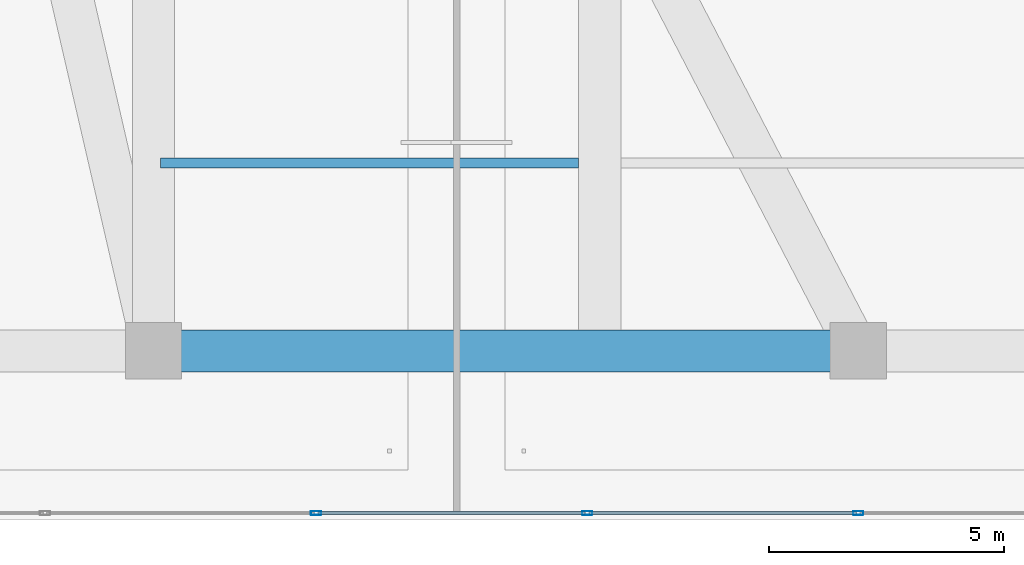
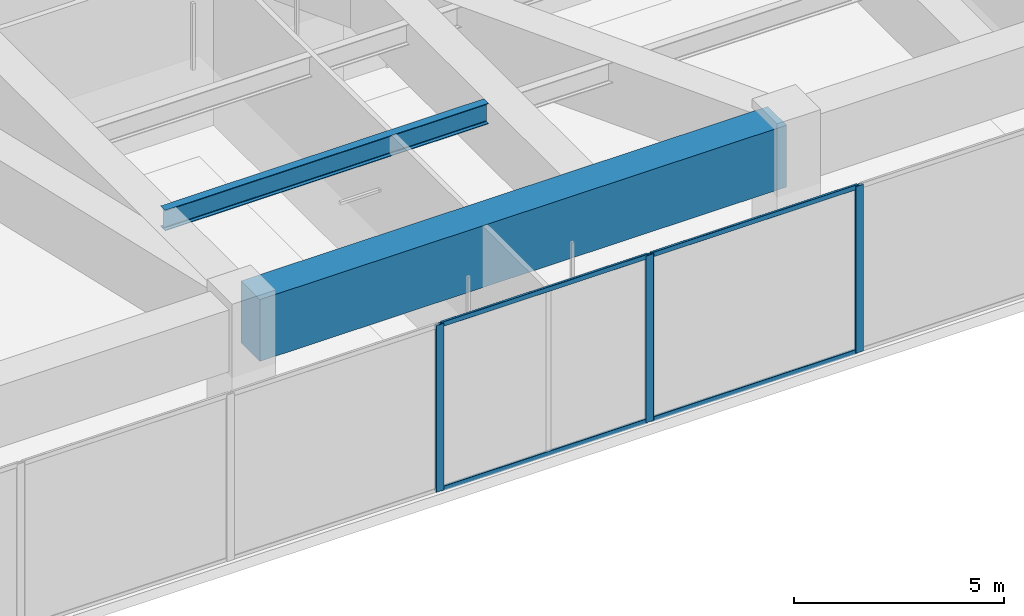
# One storey, part 4 of 21: 7 members, 2 beams, 1 element without a shape of its own.
"""IFC4 building model written with IfcOpenShell, lengths in metres."""

from ifc_helpers import new_model, si_unit, direction, frame, origin, origin_2d, place, context, subcontext, project, spatial, rectangle, hollow_rectangle, i_section, extrude, material, layer, layer_set, material_profile, profile_set, type_object, element, aggregate, save


model = new_model("IFC4")

# Units and contexts
model_context = context("Model", 3, precision=1e-05, world=origin(), true_north=direction((0.0, 1.0)))
body_context = subcontext(model_context, "Body", "Model", "MODEL_VIEW")
ifc_project = project(units=[si_unit("LENGTHUNIT", "METRE"), si_unit("AREAUNIT", "SQUARE_METRE"), si_unit("VOLUMEUNIT", "CUBIC_METRE"), si_unit("PLANEANGLEUNIT", "RADIAN"), si_unit("MASSUNIT", "GRAM", prefix="KILO")], contexts=[model_context])

# Site, building, storey
site_placement = place(None, origin())
site = spatial("IfcSite", under=ifc_project, at=site_placement, CompositionType="ELEMENT")
building_placement = place(site_placement, origin())
building = spatial("IfcBuilding", under=site, at=building_placement, Name="Tarnavaz Court Tower", CompositionType="ELEMENT")
storey_placement = place(building_placement, frame((0.0, 0.0, 18.89990234375)))
storey = spatial("IfcBuildingStorey", under=building, at=storey_placement, Name="L04", CompositionType="ELEMENT", Elevation=18.89990234375)

# Beams
ifc_material_1 = material(Name="Steel S355", Category="steel")
ifc_material_profile_1 = material_profile(ifc_material_1, i_section(OverallWidth=0.219970703125, OverallDepth=0.60009765625, WebThickness=0.011962890625, FlangeThickness=0.01904296875, FilletRadius=0.02392578125, at=origin_2d()), Name="IPE 600")
ifc_profile_set_1 = profile_set([ifc_material_profile_1], Name="Steel S355")
beam_type_1 = type_object("IfcBeamType", Name="BM-J-IPE600", PredefinedType="JOIST", material=ifc_profile_set_1)
beam_1_placement = place(storey_placement, frame((-14.85009765625, -18.800048828125, 4.550048828125), z_axis=(1.0, 0.0, 0.0), x_axis=(0.0, 1.0, 0.0)))
element("IfcBeam", 1, at=beam_1_placement, inside=storey, type_object=beam_type_1, Name="L04 Beam PJS-2-1", PredefinedType="JOIST", context=body_context, shape_type="SweptSolid", body=[
    extrude(i_section(OverallWidth=0.219970703125, OverallDepth=0.60009765625, WebThickness=0.011962890625, FlangeThickness=0.01904296875, FilletRadius=0.02392578125, at=origin_2d()), origin(), (0.0, 0.0, 1.0), 8.900146484375),
])
ifc_material_2 = material(Name="Concrete C50/60", Category="concrete")
ifc_material_profile_2 = material_profile(ifc_material_2, rectangle(XDim=0.89990234375, YDim=1.800048828125, at=origin_2d()), Name="RC 900X1800")
ifc_profile_set_2 = profile_set([ifc_material_profile_2], Name="Concrete C50/60")
beam_type_2 = type_object("IfcBeamType", Name="BM-TG1800", PredefinedType="USERDEFINED", material=ifc_profile_set_2)
beam_2_placement = place(storey_placement, frame((-14.75, -22.800048828125, 3.9501953125), z_axis=(1.0, 0.0, 0.0), x_axis=(0.0, 1.0, 0.0)))
element("IfcBeam", 2, at=beam_2_placement, inside=storey, type_object=beam_type_2, Name="L04 Beam PM-PM-S1-PM-S2", ObjectType="GIRDER", PredefinedType="USERDEFINED", context=body_context, shape_type="SweptSolid", body=[
    extrude(rectangle(XDim=0.89990234375, YDim=1.800048828125, at=origin_2d()), origin(), (0.0, 0.0, 1.0), 14.5),
])

# Curtain wall, members
ifc_material_3 = material(Name="Anodised Aluminium 6063-T6 and Solar Low-E Glazing", Category="aluminium")
ifc_layer = layer(ifc_material_3, 0.18994140625)
ifc_layer_set = layer_set([ifc_layer], Name="Anodised Aluminium 6063-T6 and Solar Low-E Glazing")
curtain_wall_type = type_object("IfcCurtainWallType", Name="CW-SYS-01", PredefinedType="NOTDEFINED", material=ifc_layer_set)
curtain_wall_placement = place(storey_placement, origin())
curtain_wall = element("IfcCurtainWall", 3, at=curtain_wall_placement, inside=storey, type_object=curtain_wall_type, Name="L04 Clinic South Curtain Wall 3", PredefinedType="NOTDEFINED")
ifc_material_4 = material(Name="Anodised Aluminium 6063-T6", Category="aluminium")
ifc_material_profile_3 = material_profile(ifc_material_4, hollow_rectangle(XDim=0.0849609375, YDim=0.219970703125, WallThickness=0.006103515625, InnerFilletRadius=0.006103515625, OuterFilletRadius=0.011962890625, at=origin_2d()), Name="ALU RHS 220X85X6")
ifc_profile_set_3 = profile_set([ifc_material_profile_3], Name="Anodised Aluminium 6063-T6")
member_type_1 = type_object("IfcMemberType", Name="CW-MUL-220", PredefinedType="MULLION", material=ifc_profile_set_3)
member_1_placement = place(storey_placement, frame((0.0, -26.25, 0.0), z_axis=(0.0, 0.0, 1.0), x_axis=(0.0, -1.0, 0.0)))
member_1 = element("IfcMember", 4, at=member_1_placement, type_object=member_type_1, Name="CW mullion 6", PredefinedType="MULLION", context=body_context, shape_type="SweptSolid", body=[
    extrude(hollow_rectangle(XDim=0.0849609375, YDim=0.219970703125, WallThickness=0.006103515625, InnerFilletRadius=0.006103515625, OuterFilletRadius=0.011962890625, at=origin_2d()), origin(), (0.0, 0.0, 1.0), 4.85009765625),
])
member_2_placement = place(storey_placement, frame((-5.77001953125, -26.25, 0.0), z_axis=(0.0, 0.0, 1.0), x_axis=(0.0, -1.0, 0.0)))
member_2 = element("IfcMember", 5, at=member_2_placement, type_object=member_type_1, Name="CW mullion 7", PredefinedType="MULLION", context=body_context, shape_type="SweptSolid", body=[
    extrude(hollow_rectangle(XDim=0.0849609375, YDim=0.219970703125, WallThickness=0.006103515625, InnerFilletRadius=0.006103515625, OuterFilletRadius=0.011962890625, at=origin_2d()), origin(), (0.0, 0.0, 1.0), 4.85009765625),
])
member_3_placement = place(storey_placement, frame((-11.5400390625, -26.25, 0.0), z_axis=(0.0, 0.0, 1.0), x_axis=(0.0, -1.0, 0.0)))
member_3 = element("IfcMember", 6, at=member_3_placement, type_object=member_type_1, Name="CW mullion 8", PredefinedType="MULLION", context=body_context, shape_type="SweptSolid", body=[
    extrude(hollow_rectangle(XDim=0.0849609375, YDim=0.219970703125, WallThickness=0.006103515625, InnerFilletRadius=0.006103515625, OuterFilletRadius=0.011962890625, at=origin_2d()), origin(), (0.0, 0.0, 1.0), 4.85009765625),
])
ifc_material_profile_4 = material_profile(ifc_material_4, hollow_rectangle(XDim=0.06494140625, YDim=0.139892578125, WallThickness=0.00390625, InnerFilletRadius=0.00390625, OuterFilletRadius=0.008056640625, at=origin_2d()), Name="ALU RHS 140X65X4")
ifc_profile_set_4 = profile_set([ifc_material_profile_4], Name="Anodised Aluminium 6063-T6")
member_type_2 = type_object("IfcMemberType", Name="CW-TRN-140", PredefinedType="USERDEFINED", material=ifc_profile_set_4)
member_4_placement = place(storey_placement, frame((-0.04248046875, -26.25, 0.03271484375), z_axis=(-1.0, 0.0, 0.0), x_axis=(0.0, -1.0, 0.0)))
member_4 = element("IfcMember", 7, at=member_4_placement, type_object=member_type_2, Name="CW transom 6.1", ObjectType="TRANSOM", PredefinedType="USERDEFINED", context=body_context, shape_type="SweptSolid", body=[
    extrude(hollow_rectangle(XDim=0.06494140625, YDim=0.139892578125, WallThickness=0.00390625, InnerFilletRadius=0.00390625, OuterFilletRadius=0.008056640625, at=origin_2d()), origin(), (0.0, 0.0, 1.0), 5.68505859375),
])
member_5_placement = place(storey_placement, frame((-0.04248046875, -26.25, 4.817626953125), z_axis=(-1.0, 0.0, 0.0), x_axis=(0.0, -1.0, 0.0)))
member_5 = element("IfcMember", 8, at=member_5_placement, type_object=member_type_2, Name="CW transom 6.2", ObjectType="TRANSOM", PredefinedType="USERDEFINED", context=body_context, shape_type="SweptSolid", body=[
    extrude(hollow_rectangle(XDim=0.06494140625, YDim=0.139892578125, WallThickness=0.00390625, InnerFilletRadius=0.00390625, OuterFilletRadius=0.008056640625, at=origin_2d()), origin(), (0.0, 0.0, 1.0), 5.68505859375),
])
member_6_placement = place(storey_placement, frame((-5.8125, -26.25, 0.03271484375), z_axis=(-1.0, 0.0, 0.0), x_axis=(0.0, -1.0, 0.0)))
member_6 = element("IfcMember", 9, at=member_6_placement, type_object=member_type_2, Name="CW transom 7.1", ObjectType="TRANSOM", PredefinedType="USERDEFINED", context=body_context, shape_type="SweptSolid", body=[
    extrude(hollow_rectangle(XDim=0.06494140625, YDim=0.139892578125, WallThickness=0.00390625, InnerFilletRadius=0.00390625, OuterFilletRadius=0.008056640625, at=origin_2d()), origin(), (0.0, 0.0, 1.0), 5.68505859375),
])
member_7_placement = place(storey_placement, frame((-5.8125, -26.25, 4.817626953125), z_axis=(-1.0, 0.0, 0.0), x_axis=(0.0, -1.0, 0.0)))
member_7 = element("IfcMember", 10, at=member_7_placement, type_object=member_type_2, Name="CW transom 7.2", ObjectType="TRANSOM", PredefinedType="USERDEFINED", context=body_context, shape_type="SweptSolid", body=[
    extrude(hollow_rectangle(XDim=0.06494140625, YDim=0.139892578125, WallThickness=0.00390625, InnerFilletRadius=0.00390625, OuterFilletRadius=0.008056640625, at=origin_2d()), origin(), (0.0, 0.0, 1.0), 5.68505859375),
])
aggregate(curtain_wall, [member_1, member_2, member_3, member_4, member_5, member_6, member_7])

save(model, "model.ifc")
